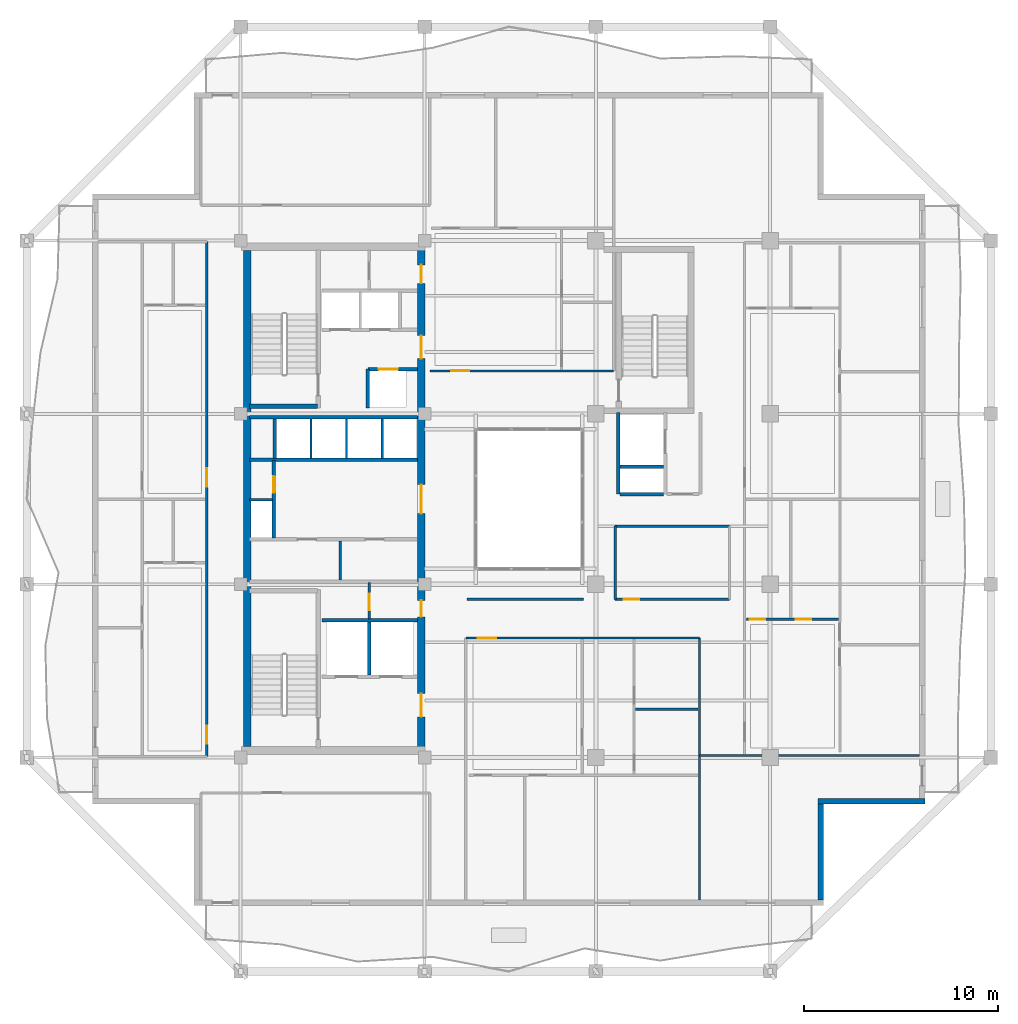
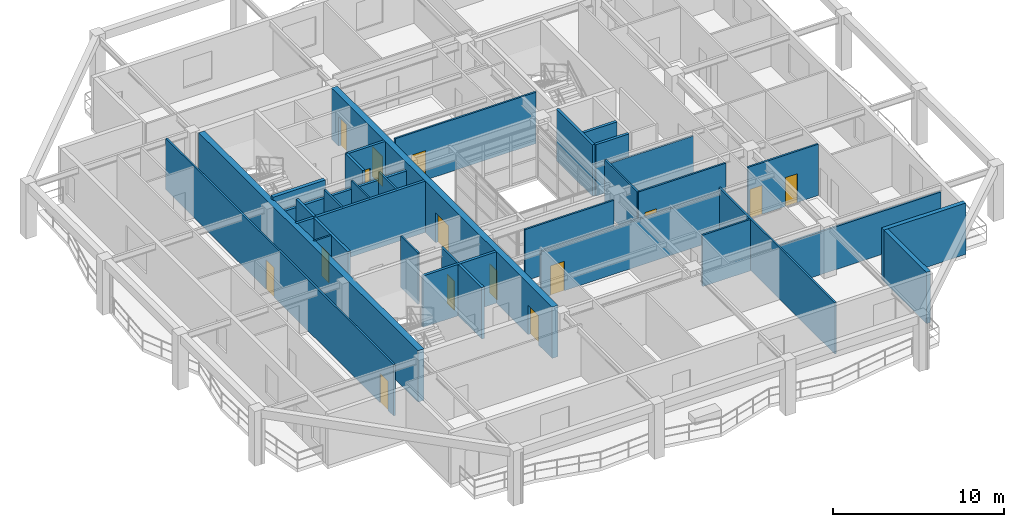
# One storey, part 7 of 15: 33 walls, 15 doors, 15 openings.
"""IFC4 building model written with IfcOpenShell, lengths in metres."""

from ifc_helpers import new_model, si_unit, direction, frame, frame_2d, origin, place, context, subcontext, project, spatial, rectangle, extrude, material, layer, layer_set, type_object, element, fill, save


model = new_model("IFC4")

# Units and contexts
model_context = context("Model", 3, precision=1e-05, world=origin(), true_north=direction((0.0, 1.0)))
body_context = subcontext(model_context, "Body", "Model", "MODEL_VIEW")
ifc_project = project(units=[si_unit("LENGTHUNIT", "METRE"), si_unit("AREAUNIT", "SQUARE_METRE"), si_unit("VOLUMEUNIT", "CUBIC_METRE"), si_unit("PLANEANGLEUNIT", "RADIAN"), si_unit("MASSUNIT", "GRAM", prefix="KILO")], contexts=[model_context])

# Site, building, storey
site_placement = place(None, origin())
site = spatial("IfcSite", under=ifc_project, at=site_placement, CompositionType="ELEMENT")
building_placement = place(site_placement, origin())
building = spatial("IfcBuilding", under=site, at=building_placement, Name="Kundavana Baori Tower", CompositionType="ELEMENT")
storey_placement = place(building_placement, frame((0.0, 0.0, 214.10009765625)))
storey = spatial("IfcBuildingStorey", under=building, at=storey_placement, Name="L52", CompositionType="ELEMENT", Elevation=214.10009765625)

# Wall
ifc_material_1 = material(Name="Concrete C50/60", Category="concrete")
ifc_layer_1 = layer(ifc_material_1, 0.39990234375, Name="WL-CORE-400")
ifc_layer_set_1 = layer_set([ifc_layer_1], Name="Concrete C50/60")
wall_type_1 = type_object("IfcWallType", Name="WL-CORE-400", PredefinedType="SHEAR", material=ifc_layer_set_1)
wall_1_placement = place(storey_placement, frame((15.7900390625, 15.81005859375, 0.0), z_axis=(0.0, 0.0, 1.0), x_axis=(0.0, 1.0, 0.0)))
element("IfcWall", 1, at=wall_1_placement, inside=storey, type_object=wall_type_1, Name="L52 Offset Core West Shear Wall", PredefinedType="SHEAR", context=body_context, shape_type="SweptSolid", body=[
    extrude(rectangle(XDim=25.6298828125, YDim=0.39990234375, at=frame_2d((12.81494140625, 0.0))), origin(), (0.0, 0.0, 1.0), 3.659912109375),
])

# Wall, openings, doors
wall_2_placement = place(storey_placement, frame((24.780029296875, 15.739990234375, 0.0), z_axis=(0.0, 0.0, 1.0), x_axis=(0.0, 1.0, 0.0)))
wall_2 = element("IfcWall", 2, at=wall_2_placement, inside=storey, type_object=wall_type_1, Name="L52 Offset Core East Shear Wall", PredefinedType="SHEAR", context=body_context, shape_type="SweptSolid", body=[
    extrude(rectangle(XDim=25.760009765625, YDim=0.39990234375, at=frame_2d((12.8798828125, 0.0))), origin(), (0.0, 0.0, 1.0), 3.659912109375),
])
opening_1_placement = place(wall_2_placement, frame((1.610107421875, 0.0, 0.0)))
opening_1 = element("IfcOpeningElement", 3, at=opening_1_placement, cuts=wall_2, Name="Opening FD-120", PredefinedType="OPENING", context=body_context, shape_type="SweptSolid", body=[
    extrude(rectangle(XDim=1.199951171875, YDim=2.10009765625, at=frame_2d((0.60009765625, 1.050048828125))), frame((0.0, 0.2099609375, 0.0), z_axis=(0.0, -1.0, 0.0), x_axis=(1.0, 0.0, 0.0)), (0.0, 0.0, 1.0), 0.419921875),
])
opening_2_placement = place(wall_2_placement, frame((6.780029296875, 0.0, 0.0)))
opening_2 = element("IfcOpeningElement", 4, at=opening_2_placement, cuts=wall_2, Name="Opening FD-085", PredefinedType="OPENING", context=body_context, shape_type="SweptSolid", body=[
    extrude(rectangle(XDim=0.85009765625, YDim=2.06005859375, at=frame_2d((0.425048828125, 1.030029296875))), frame((0.0, 0.2099609375, 0.0), z_axis=(0.0, -1.0, 0.0), x_axis=(1.0, 0.0, 0.0)), (0.0, 0.0, 1.0), 0.419921875),
])
opening_3_placement = place(wall_2_placement, frame((12.110107421875, 0.0, 0.0)))
opening_3 = element("IfcOpeningElement", 5, at=opening_3_placement, cuts=wall_2, Name="Opening FD-150", PredefinedType="OPENING", context=body_context, shape_type="SweptSolid", body=[
    extrude(rectangle(XDim=1.5, YDim=2.1201171875, at=frame_2d((0.75, 1.06005859375))), frame((0.0, 0.2099609375, 0.0), z_axis=(0.0, -1.0, 0.0), x_axis=(1.0, 0.0, 0.0)), (0.0, 0.0, 1.0), 0.419921875),
])
opening_4_placement = place(wall_2_placement, frame((20.110107421875, 0.0, 0.0)))
opening_4 = element("IfcOpeningElement", 6, at=opening_4_placement, cuts=wall_2, Name="Opening FD-122", PredefinedType="OPENING", context=body_context, shape_type="SweptSolid", body=[
    extrude(rectangle(XDim=1.199951171875, YDim=2.1201171875, at=frame_2d((0.60009765625, 1.06005859375))), frame((0.0, 0.2099609375, 0.0), z_axis=(0.0, -1.0, 0.0), x_axis=(1.0, 0.0, 0.0)), (0.0, 0.0, 1.0), 0.419921875),
])
opening_5_placement = place(wall_2_placement, frame((24.010009765625, 0.0, 0.0)))
opening_5 = element("IfcOpeningElement", 7, at=opening_5_placement, cuts=wall_2, Name="Opening FD-095", PredefinedType="OPENING", context=body_context, shape_type="SweptSolid", body=[
    extrude(rectangle(XDim=0.949951171875, YDim=2.10009765625, at=frame_2d((0.47509765625, 1.050048828125))), frame((0.0, 0.2099609375, 0.0), z_axis=(0.0, -1.0, 0.0), x_axis=(1.0, 0.0, 0.0)), (0.0, 0.0, 1.0), 0.419921875),
])
ifc_material_2 = material(Name="Galvanised Steel Fire-Rated Door Leaf", Category="steel")
door_type_1 = type_object("IfcDoorType", Name="DR-FD120-1200", OperationType="NOTDEFINED", PredefinedType="DOOR", material=ifc_material_2)
door_1_placement = place(opening_1_placement, frame((1.199951171875, 0.0, 0.0), z_axis=(0.0, 0.0, 1.0), x_axis=(-1.0, 0.0, 0.0)))
door_1 = element("IfcDoor", 8, at=door_1_placement, inside=storey, type_object=door_type_1, Name="DR-L52-FFLOB-E", OperationType="SINGLE_SWING_RIGHT", OverallHeight=2.10009765625, OverallWidth=1.199951171875, PredefinedType="DOOR", context=body_context, shape_type="SweptSolid", body=[
    extrude(rectangle(XDim=1.199951171875, YDim=2.10009765625, at=frame_2d((0.60009765625, 1.050048828125))), frame((0.0, 0.02490234375, 0.0), z_axis=(0.0, -1.0, 0.0), x_axis=(1.0, 0.0, 0.0)), (0.0, 0.0, 1.0), 0.050048828125),
])
fill(opening_1, door_1)
ifc_material_3 = material(Name="Galvanised Steel Fire-Rated Door Leaf", Category="steel")
door_type_2 = type_object("IfcDoorType", Name="DR-FD60-1200", OperationType="NOTDEFINED", PredefinedType="DOOR", material=ifc_material_3)
door_2_placement = place(opening_4_placement, frame((1.199951171875, 0.0, 0.0), z_axis=(0.0, 0.0, 1.0), x_axis=(-1.0, 0.0, 0.0)))
door_2 = element("IfcDoor", 9, at=door_2_placement, inside=storey, type_object=door_type_2, Name="DR-L52-HRLOB-E", OperationType="SINGLE_SWING_RIGHT", OverallHeight=2.1201171875, OverallWidth=1.199951171875, PredefinedType="DOOR", context=body_context, shape_type="SweptSolid", body=[
    extrude(rectangle(XDim=1.199951171875, YDim=2.1201171875, at=frame_2d((0.60009765625, 1.06005859375))), frame((0.0, 0.02490234375, 0.0), z_axis=(0.0, -1.0, 0.0), x_axis=(1.0, 0.0, 0.0)), (0.0, 0.0, 1.0), 0.050048828125),
])
fill(opening_4, door_2)
ifc_material_4 = material(Name="Galvanised Steel Fire-Rated Door Leaf", Category="steel")
door_type_3 = type_object("IfcDoorType", Name="DR-FD60-1500", OperationType="NOTDEFINED", PredefinedType="DOOR", material=ifc_material_4)
door_3_placement = place(opening_3_placement, frame((1.5, 0.0, 0.0), z_axis=(0.0, 0.0, 1.0), x_axis=(-1.0, 0.0, 0.0)))
door_3 = element("IfcDoor", 10, at=door_3_placement, inside=storey, type_object=door_type_3, Name="DR-L52-LIFTHALL-E", OperationType="SINGLE_SWING_LEFT", OverallHeight=2.1201171875, OverallWidth=1.5, PredefinedType="DOOR", context=body_context, shape_type="SweptSolid", body=[
    extrude(rectangle(XDim=1.5, YDim=2.1201171875, at=frame_2d((0.75, 1.06005859375))), frame((0.0, 0.02490234375, 0.0), z_axis=(0.0, -1.0, 0.0), x_axis=(1.0, 0.0, 0.0)), (0.0, 0.0, 1.0), 0.050048828125),
])
fill(opening_3, door_3)
ifc_material_5 = material(Name="Galvanised Steel Fire-Rated Door Leaf", Category="steel")
door_type_4 = type_object("IfcDoorType", Name="DR-FD60-850", OperationType="NOTDEFINED", PredefinedType="DOOR", material=ifc_material_5)
door_4_placement = place(opening_2_placement, frame((0.85009765625, 0.0, 0.0), z_axis=(0.0, 0.0, 1.0), x_axis=(-1.0, 0.0, 0.0)))
door_4 = element("IfcDoor", 11, at=door_4_placement, inside=storey, type_object=door_type_4, Name="DR-L52-CSMK2", OperationType="SINGLE_SWING_RIGHT", OverallHeight=2.06005859375, OverallWidth=0.85009765625, PredefinedType="DOOR", context=body_context, shape_type="SweptSolid", body=[
    extrude(rectangle(XDim=0.85009765625, YDim=2.06005859375, at=frame_2d((0.425048828125, 1.030029296875))), frame((0.0, 0.02490234375, 0.0), z_axis=(0.0, -1.0, 0.0), x_axis=(1.0, 0.0, 0.0)), (0.0, 0.0, 1.0), 0.050048828125),
])
fill(opening_2, door_4)
ifc_material_6 = material(Name="Engineered Teak Fire-Rated Timber Door Leaf", Category="wood")
door_type_5 = type_object("IfcDoorType", Name="DR-FD60-950", OperationType="NOTDEFINED", PredefinedType="DOOR", material=ifc_material_6)
door_5_placement = place(opening_5_placement, frame((0.949951171875, 0.0, 0.0), z_axis=(0.0, 0.0, 1.0), x_axis=(-1.0, 0.0, 0.0)))
door_5 = element("IfcDoor", 12, at=door_5_placement, inside=storey, type_object=door_type_5, Name="DR-L52-CSRV2", OperationType="SINGLE_SWING_RIGHT", OverallHeight=2.10009765625, OverallWidth=0.949951171875, PredefinedType="DOOR", context=body_context, shape_type="SweptSolid", body=[
    extrude(rectangle(XDim=0.949951171875, YDim=2.10009765625, at=frame_2d((0.47509765625, 1.050048828125))), frame((0.0, 0.02490234375, 0.0), z_axis=(0.0, -1.0, 0.0), x_axis=(1.0, 0.0, 0.0)), (0.0, 0.0, 1.0), 0.050048828125),
])
fill(opening_5, door_5)

# Walls
wall_3_placement = place(storey_placement, frame((15.89990234375, 33.389892578125, 0.0), z_axis=(0.0, 0.0, 1.0), x_axis=(1.0, 0.0, 0.0)))
element("IfcWall", 13, at=wall_3_placement, inside=storey, type_object=wall_type_1, Name="WL-L52-ST2-S", PredefinedType="SHEAR", context=body_context, shape_type="SweptSolid", body=[
    extrude(rectangle(XDim=3.52001953125, YDim=0.239990234375, at=frame_2d((1.760009765625, 0.0))), origin(), (0.0, 0.0, 1.0), 3.89990234375),
])
ifc_material_7 = material(Name="Red-Buff Dholpur Sandstone Cladding on Concrete C40/50", Category="masonry")
ifc_layer_2 = layer(ifc_material_7, 0.280029296875, Name="WL-EXT-SAND-280")
ifc_layer_set_2 = layer_set([ifc_layer_2], Name="Red-Buff Dholpur Sandstone Cladding on Concrete C40/50")
wall_type_2 = type_object("IfcWallType", Name="WL-EXT-SAND-280", PredefinedType="STANDARD", material=ifc_layer_set_2)
wall_4_placement = place(storey_placement, frame((45.409912109375, 7.8798828125, 0.0), z_axis=(0.0, 0.0, 1.0), x_axis=(0.0, 1.0, 0.0)))
element("IfcWall", 14, at=wall_4_placement, inside=storey, type_object=wall_type_2, Name="L52 Exterior Insulated Facade Wall 02", PredefinedType="STANDARD", context=body_context, shape_type="SweptSolid", body=[
    extrude(rectangle(XDim=4.97021484375, YDim=0.280029296875, at=frame_2d((2.485107421875, 0.0))), origin(), (0.0, 0.0, 1.0), 3.659912109375),
])
wall_5_placement = place(storey_placement, frame((45.27001953125, 12.989990234375, 0.0), z_axis=(0.0, 0.0, 1.0), x_axis=(1.0, 0.0, 0.0)))
element("IfcWall", 15, at=wall_5_placement, inside=storey, type_object=wall_type_2, Name="L52 Exterior Insulated Facade Wall 03", PredefinedType="STANDARD", context=body_context, shape_type="SweptSolid", body=[
    extrude(rectangle(XDim=5.530029296875, YDim=0.280029296875, at=frame_2d((2.76513671875, 0.0))), origin(), (0.0, 0.0, 1.0), 3.659912109375),
])

# Wall, opening, door
ifc_material_8 = material(Name="Acoustic Gypsum Plasterboard on Galvanised Steel Studs", Category="steel")
ifc_layer_3 = layer(ifc_material_8, 0.1201171875, Name="WL-PART-120")
ifc_layer_set_3 = layer_set([ifc_layer_3], Name="Acoustic Gypsum Plasterboard on Galvanised Steel Studs")
wall_type_3 = type_object("IfcWallType", Name="WL-PART-120", PredefinedType="PARTITIONING", material=ifc_layer_set_3)
wall_6_placement = place(storey_placement, frame((22.10009765625, 22.39990234375, 0.0), z_axis=(0.0, 0.0, 1.0), x_axis=(0.0, 1.0, 0.0)))
wall_6 = element("IfcWall", 16, at=wall_6_placement, inside=storey, type_object=wall_type_3, Name="WL-L52-CSMK-D1", PredefinedType="PARTITIONING", context=body_context, shape_type="SweptSolid", body=[
    extrude(rectangle(XDim=1.880126953125, YDim=0.1201171875, at=frame_2d((0.93994140625, 0.0))), origin(), (0.0, 0.0, 1.0), 3.659912109375),
])
opening_6_placement = place(wall_6_placement, frame((0.449951171875, 0.0, 0.0)))
opening_6 = element("IfcOpeningElement", 17, at=opening_6_placement, cuts=wall_6, Name="Opening FD-085", PredefinedType="OPENING", context=body_context, shape_type="SweptSolid", body=[
    extrude(rectangle(XDim=0.85009765625, YDim=2.06005859375, at=frame_2d((0.425048828125, 1.030029296875))), frame((0.0, 0.070068359375, 0.0), z_axis=(0.0, -1.0, 0.0), x_axis=(1.0, 0.0, 0.0)), (0.0, 0.0, 1.0), 0.14013671875),
])
door_6_placement = place(opening_6_placement, origin())
door_6 = element("IfcDoor", 18, at=door_6_placement, inside=storey, type_object=door_type_4, Name="DR-L52-CSMK1", OperationType="SINGLE_SWING_LEFT", OverallHeight=2.06005859375, OverallWidth=0.85009765625, PredefinedType="DOOR", context=body_context, shape_type="SweptSolid", body=[
    extrude(rectangle(XDim=0.85009765625, YDim=2.06005859375, at=frame_2d((0.425048828125, 1.030029296875))), frame((0.0, 0.02490234375, 0.0), z_axis=(0.0, -1.0, 0.0), x_axis=(1.0, 0.0, 0.0)), (0.0, 0.0, 1.0), 0.050048828125),
])
fill(opening_6, door_6)

# Walls
wall_7_placement = place(storey_placement, frame((20.60009765625, 24.419921875, 0.0), z_axis=(0.0, 0.0, 1.0), x_axis=(0.0, 1.0, 0.0)))
element("IfcWall", 19, at=wall_7_placement, inside=storey, type_object=wall_type_3, Name="WL-L52-FRLOW-DIV", PredefinedType="PARTITIONING", context=body_context, shape_type="SweptSolid", body=[
    extrude(rectangle(XDim=2.02001953125, YDim=0.1201171875, at=frame_2d((1.010009765625, 0.0))), origin(), (0.0, 0.0, 1.0), 3.659912109375),
])
wall_8_placement = place(storey_placement, frame((15.89990234375, 28.56005859375, 0.0), z_axis=(0.0, 0.0, 1.0), x_axis=(1.0, 0.0, 0.0)))
element("IfcWall", 20, at=wall_8_placement, inside=storey, type_object=wall_type_3, Name="WL-L52-RSRW-N", PredefinedType="PARTITIONING", context=body_context, shape_type="SweptSolid", body=[
    extrude(rectangle(XDim=1.2001953125, YDim=0.1201171875, at=frame_2d((0.60009765625, 0.0))), origin(), (0.0, 0.0, 1.0), 3.659912109375),
])
for number, where, z_axis, x_axis, name in (
    (21, (19.080078125, 30.699951171875, 0.0), (0.0, 0.0, 1.0), (0.0, 1.0, 0.0), "WL-L52-LPMID-D1"),
    (22, (20.919921875, 30.699951171875, 0.0), (0.0, 0.0, 1.0), (0.0, 1.0, 0.0), "WL-L52-LPMID-D2"),
    (23, (22.760009765625, 30.699951171875, 0.0), (0.0, 0.0, 1.0), (0.0, 1.0, 0.0), "WL-L52-LPMID-D3"),
):
    element("IfcWall", number, at=place(storey_placement, frame(where, z_axis=z_axis, x_axis=x_axis)), inside=storey, type_object=wall_type_3, Name=name, PredefinedType="PARTITIONING", context=body_context, shape_type="SweptSolid", body=[
        extrude(rectangle(XDim=2.050048828125, YDim=0.1201171875, at=frame_2d((1.02490234375, 0.0))), origin(), (0.0, 0.0, 1.0), 3.659912109375),
    ])

# Wall, opening, door
wall_9_placement = place(storey_placement, frame((27.080078125, 21.419921875, 0.0), z_axis=(0.0, 0.0, 1.0), x_axis=(1.0, 0.0, 0.0)))
wall_9 = element("IfcWall", 24, at=wall_9_placement, inside=storey, type_object=wall_type_3, Name="WL-L52-RS", PredefinedType="PARTITIONING", context=body_context, shape_type="SweptSolid", body=[
    extrude(rectangle(XDim=12.06982421875, YDim=0.1201171875, at=frame_2d((6.034912109375, 0.0))), origin(), (0.0, 0.0, 1.0), 3.309814453125),
])
opening_7_placement = place(wall_9_placement, frame((0.6298828125, 0.0, 0.0)))
opening_7 = element("IfcOpeningElement", 25, at=opening_7_placement, cuts=wall_9, Name="Opening FD-095", PredefinedType="OPENING", context=body_context, shape_type="SweptSolid", body=[
    extrude(rectangle(XDim=0.949951171875, YDim=2.10009765625, at=frame_2d((0.47509765625, 1.050048828125))), frame((0.0, 0.070068359375, 0.0), z_axis=(0.0, -1.0, 0.0), x_axis=(1.0, 0.0, 0.0)), (0.0, 0.0, 1.0), 0.14013671875),
])
door_7_placement = place(opening_7_placement, frame((0.949951171875, 0.0, 0.0), z_axis=(0.0, 0.0, 1.0), x_axis=(-1.0, 0.0, 0.0)))
door_7 = element("IfcDoor", 26, at=door_7_placement, inside=storey, type_object=door_type_5, Name="DR-L52-S1-ENT", OperationType="SINGLE_SWING_RIGHT", OverallHeight=2.10009765625, OverallWidth=0.949951171875, PredefinedType="DOOR", context=body_context, shape_type="SweptSolid", body=[
    extrude(rectangle(XDim=0.949951171875, YDim=2.10009765625, at=frame_2d((0.47509765625, 1.050048828125))), frame((0.0, 0.02490234375, 0.0), z_axis=(0.0, -1.0, 0.0), x_axis=(1.0, 0.0, 0.0)), (0.0, 0.0, 1.0), 0.050048828125),
])
fill(opening_7, door_7)

# Wall
wall_10_placement = place(storey_placement, frame((27.14990234375, 23.419921875, 0.0), z_axis=(0.0, 0.0, 1.0), x_axis=(1.0, 0.0, 0.0)))
element("IfcWall", 27, at=wall_10_placement, inside=storey, type_object=wall_type_3, Name="WL-L52-RST", PredefinedType="PARTITIONING", context=body_context, shape_type="SweptSolid", body=[
    extrude(rectangle(XDim=6.0, YDim=0.1201171875, at=frame_2d((3.0, 0.0))), origin(), (0.0, 0.0, 1.0), 3.659912109375),
])

# Wall, opening, door
wall_11_placement = place(storey_placement, frame((25.219970703125, 35.219970703125, 0.0), z_axis=(0.0, 0.0, 1.0), x_axis=(1.0, 0.0, 0.0)))
wall_11 = element("IfcWall", 28, at=wall_11_placement, inside=storey, type_object=wall_type_3, Name="WL-L52-RN", PredefinedType="PARTITIONING", context=body_context, shape_type="SweptSolid", body=[
    extrude(rectangle(XDim=9.5, YDim=0.1201171875, at=frame_2d((4.75, 0.0))), origin(), (0.0, 0.0, 1.0), 3.659912109375),
])
opening_8_placement = place(wall_11_placement, frame((1.10009765625, 0.0, 0.0)))
opening_8 = element("IfcOpeningElement", 29, at=opening_8_placement, cuts=wall_11, Name="Opening FD-095", PredefinedType="OPENING", context=body_context, shape_type="SweptSolid", body=[
    extrude(rectangle(XDim=0.949951171875, YDim=2.10009765625, at=frame_2d((0.47509765625, 1.050048828125))), frame((0.0, 0.070068359375, 0.0), z_axis=(0.0, -1.0, 0.0), x_axis=(1.0, 0.0, 0.0)), (0.0, 0.0, 1.0), 0.14013671875),
])
door_8_placement = place(opening_8_placement, origin())
door_8 = element("IfcDoor", 30, at=door_8_placement, inside=storey, type_object=door_type_5, Name="DR-L52-N1-ENT", OperationType="SINGLE_SWING_LEFT", OverallHeight=2.10009765625, OverallWidth=0.949951171875, PredefinedType="DOOR", context=body_context, shape_type="SweptSolid", body=[
    extrude(rectangle(XDim=0.949951171875, YDim=2.10009765625, at=frame_2d((0.47509765625, 1.050048828125))), frame((0.0, 0.02490234375, 0.0), z_axis=(0.0, -1.0, 0.0), x_axis=(1.0, 0.0, 0.0)), (0.0, 0.0, 1.0), 0.050048828125),
])
fill(opening_8, door_8)

# Wall, openings, doors
wall_12_placement = place(storey_placement, frame((13.699951171875, 15.300048828125, 0.0), z_axis=(0.0, 0.0, 1.0), x_axis=(0.0, 1.0, 0.0)))
wall_12 = element("IfcWall", 31, at=wall_12_placement, inside=storey, type_object=wall_type_3, Name="WL-L52-RW", PredefinedType="PARTITIONING", context=body_context, shape_type="SweptSolid", body=[
    extrude(rectangle(XDim=26.599853515625, YDim=0.1201171875, at=frame_2d((13.2998046875, 0.0))), origin(), (0.0, 0.0, 1.0), 3.659912109375),
])
opening_9_placement = place(wall_12_placement, frame((0.64990234375, 0.0, 0.0)))
opening_9 = element("IfcOpeningElement", 32, at=opening_9_placement, cuts=wall_12, Name="Opening FD-095", PredefinedType="OPENING", context=body_context, shape_type="SweptSolid", body=[
    extrude(rectangle(XDim=0.949951171875, YDim=2.10009765625, at=frame_2d((0.47509765625, 1.050048828125))), frame((0.0, 0.070068359375, 0.0), z_axis=(0.0, -1.0, 0.0), x_axis=(1.0, 0.0, 0.0)), (0.0, 0.0, 1.0), 0.14013671875),
])
opening_10_placement = place(wall_12_placement, frame((13.949951171875, 0.0, 0.0)))
opening_10 = element("IfcOpeningElement", 33, at=opening_10_placement, cuts=wall_12, Name="Opening FD-095", PredefinedType="OPENING", context=body_context, shape_type="SweptSolid", body=[
    extrude(rectangle(XDim=0.949951171875, YDim=2.10009765625, at=frame_2d((0.47509765625, 1.050048828125))), frame((0.0, 0.070068359375, 0.0), z_axis=(0.0, -1.0, 0.0), x_axis=(1.0, 0.0, 0.0)), (0.0, 0.0, 1.0), 0.14013671875),
])
door_9_placement = place(opening_9_placement, frame((0.949951171875, 0.0, 0.0), z_axis=(0.0, 0.0, 1.0), x_axis=(-1.0, 0.0, 0.0)))
door_9 = element("IfcDoor", 34, at=door_9_placement, inside=storey, type_object=door_type_5, Name="DR-L52-W1-ENT", OperationType="SINGLE_SWING_LEFT", OverallHeight=2.10009765625, OverallWidth=0.949951171875, PredefinedType="DOOR", context=body_context, shape_type="SweptSolid", body=[
    extrude(rectangle(XDim=0.949951171875, YDim=2.10009765625, at=frame_2d((0.47509765625, 1.050048828125))), frame((0.0, 0.02490234375, 0.0), z_axis=(0.0, -1.0, 0.0), x_axis=(1.0, 0.0, 0.0)), (0.0, 0.0, 1.0), 0.050048828125),
])
fill(opening_9, door_9)
door_10_placement = place(opening_10_placement, frame((0.949951171875, 0.0, 0.0), z_axis=(0.0, 0.0, 1.0), x_axis=(-1.0, 0.0, 0.0)))
door_10 = element("IfcDoor", 35, at=door_10_placement, inside=storey, type_object=door_type_5, Name="DR-L52-W2-ENT", OperationType="SINGLE_SWING_LEFT", OverallHeight=2.10009765625, OverallWidth=0.949951171875, PredefinedType="DOOR", context=body_context, shape_type="SweptSolid", body=[
    extrude(rectangle(XDim=0.949951171875, YDim=2.10009765625, at=frame_2d((0.47509765625, 1.050048828125))), frame((0.0, 0.02490234375, 0.0), z_axis=(0.0, -1.0, 0.0), x_axis=(1.0, 0.0, 0.0)), (0.0, 0.0, 1.0), 0.050048828125),
])
fill(opening_10, door_10)

# Walls
wall_13_placement = place(storey_placement, frame((39.14990234375, 7.8798828125, 0.0), z_axis=(0.0, 0.0, 1.0), x_axis=(0.0, 1.0, 0.0)))
element("IfcWall", 36, at=wall_13_placement, inside=storey, type_object=wall_type_3, Name="WL-L52-RSEND", PredefinedType="PARTITIONING", context=body_context, shape_type="SweptSolid", body=[
    extrude(rectangle(XDim=13.5400390625, YDim=0.1201171875, at=frame_2d((6.77001953125, 0.0))), origin(), (0.0, 0.0, 1.0), 3.659912109375),
])
wall_14_placement = place(storey_placement, frame((39.14990234375, 15.35009765625, 0.0), z_axis=(0.0, 0.0, 1.0), x_axis=(1.0, 0.0, 0.0)))
element("IfcWall", 37, at=wall_14_placement, inside=storey, type_object=wall_type_3, Name="WL-L52-RES", PredefinedType="PARTITIONING", context=body_context, shape_type="SweptSolid", body=[
    extrude(rectangle(XDim=11.3701171875, YDim=0.1201171875, at=frame_2d((5.68505859375, 0.0))), origin(), (0.0, 0.0, 1.0), 3.059814453125),
])

# Wall, opening, door
wall_15_placement = place(storey_placement, frame((34.800048828125, 23.419921875, 0.0), z_axis=(0.0, 0.0, 1.0), x_axis=(1.0, 0.0, 0.0)))
wall_15 = element("IfcWall", 38, at=wall_15_placement, inside=storey, type_object=wall_type_3, Name="WL-L52-ALS", PredefinedType="PARTITIONING", context=body_context, shape_type="SweptSolid", body=[
    extrude(rectangle(XDim=5.89990234375, YDim=0.1201171875, at=frame_2d((2.949951171875, 0.0))), origin(), (0.0, 0.0, 1.0), 3.659912109375),
])
opening_11_placement = place(wall_15_placement, frame((0.429931640625, 0.0, 0.0)))
opening_11 = element("IfcOpeningElement", 39, at=opening_11_placement, cuts=wall_15, Name="Opening WD-080", PredefinedType="OPENING", context=body_context, shape_type="SweptSolid", body=[
    extrude(rectangle(XDim=0.800048828125, YDim=2.050048828125, at=frame_2d((0.39990234375, 1.02490234375))), frame((0.0, 0.070068359375, 0.0), z_axis=(0.0, -1.0, 0.0), x_axis=(1.0, 0.0, 0.0)), (0.0, 0.0, 1.0), 0.14013671875),
])
ifc_material_9 = material(Name="Engineered Teak Solid-Core Timber Veneer", Category="wood")
door_type_6 = type_object("IfcDoorType", Name="DR-WET-800", OperationType="NOTDEFINED", PredefinedType="DOOR", material=ifc_material_9)
door_11_placement = place(opening_11_placement, origin())
door_11 = element("IfcDoor", 40, at=door_11_placement, inside=storey, type_object=door_type_6, Name="DR-L52-RALC1", OperationType="SINGLE_SWING_LEFT", OverallHeight=2.050048828125, OverallWidth=0.800048828125, PredefinedType="DOOR", context=body_context, shape_type="SweptSolid", body=[
    extrude(rectangle(XDim=0.800048828125, YDim=2.050048828125, at=frame_2d((0.39990234375, 1.02490234375))), frame((0.0, 0.02490234375, 0.0), z_axis=(0.0, -1.0, 0.0), x_axis=(1.0, 0.0, 0.0)), (0.0, 0.0, 1.0), 0.050048828125),
])
fill(opening_11, door_11)

# Walls
wall_16_placement = place(storey_placement, frame((34.800048828125, 27.199951171875, 0.0), z_axis=(0.0, 0.0, 1.0), x_axis=(1.0, 0.0, 0.0)))
element("IfcWall", 41, at=wall_16_placement, inside=storey, type_object=wall_type_3, Name="WL-L52-ALN", PredefinedType="PARTITIONING", context=body_context, shape_type="SweptSolid", body=[
    extrude(rectangle(XDim=5.89990234375, YDim=0.1201171875, at=frame_2d((2.949951171875, 0.0))), origin(), (0.0, 0.0, 1.0), 3.309814453125),
])
wall_17_placement = place(storey_placement, frame((34.800048828125, 23.419921875, 0.0), z_axis=(0.0, 0.0, 1.0), x_axis=(0.0, 1.0, 0.0)))
element("IfcWall", 42, at=wall_17_placement, inside=storey, type_object=wall_type_3, Name="WL-L52-ALW", PredefinedType="PARTITIONING", context=body_context, shape_type="SweptSolid", body=[
    extrude(rectangle(XDim=3.780029296875, YDim=0.1201171875, at=frame_2d((1.89013671875, 0.0))), origin(), (0.0, 0.0, 1.0), 3.659912109375),
])
ifc_material_10 = material(Name="Autoclaved Aerated Concrete Blockwork Masonry", Category="masonry")
ifc_layer_4 = layer(ifc_material_10, 0.179931640625, Name="WL-SHAFT-180")
ifc_layer_set_4 = layer_set([ifc_layer_4], Name="Autoclaved Aerated Concrete Blockwork Masonry")
wall_type_4 = type_object("IfcWallType", Name="WL-SHAFT-180", PredefinedType="SOLIDWALL", material=ifc_layer_set_4)
wall_18_placement = place(storey_placement, frame((22.10009765625, 19.510009765625, 0.0), z_axis=(0.0, 0.0, 1.0), x_axis=(0.0, 1.0, 0.0)))
element("IfcWall", 43, at=wall_18_placement, inside=storey, type_object=wall_type_4, Name="WL-L52-FFL-MID", PredefinedType="SOLIDWALL", context=body_context, shape_type="SweptSolid", body=[
    extrude(rectangle(XDim=2.739990234375, YDim=0.179931640625, at=frame_2d((1.3701171875, 0.0))), origin(), (0.0, 0.0, 1.0), 3.659912109375),
])
wall_19_placement = place(storey_placement, frame((19.639892578125, 22.340087890625, 0.0), z_axis=(0.0, 0.0, 1.0), x_axis=(1.0, 0.0, 0.0)))
element("IfcWall", 44, at=wall_19_placement, inside=storey, type_object=wall_type_4, Name="WL-L52-FFL-N", PredefinedType="SOLIDWALL", context=body_context, shape_type="SweptSolid", body=[
    extrude(rectangle(XDim=4.940185546875, YDim=0.179931640625, at=frame_2d((2.47021484375, 0.0))), origin(), (0.0, 0.0, 1.0), 3.659912109375),
])

# Wall, opening, door
wall_20_placement = place(storey_placement, frame((17.159912109375, 26.580078125, 0.0), z_axis=(0.0, 0.0, 1.0), x_axis=(0.0, 1.0, 0.0)))
wall_20 = element("IfcWall", 45, at=wall_20_placement, inside=storey, type_object=wall_type_4, Name="WL-L52-RSRW-E", PredefinedType="SOLIDWALL", context=body_context, shape_type="SweptSolid", body=[
    extrude(rectangle(XDim=4.02001953125, YDim=0.179931640625, at=frame_2d((2.010009765625, 0.0))), origin(), (0.0, 0.0, 1.0), 3.659912109375),
])
opening_12_placement = place(wall_20_placement, frame((2.35009765625, 0.0, 0.0)))
opening_12 = element("IfcOpeningElement", 46, at=opening_12_placement, cuts=wall_20, Name="Opening FD-085", PredefinedType="OPENING", context=body_context, shape_type="SweptSolid", body=[
    extrude(rectangle(XDim=0.85009765625, YDim=2.06005859375, at=frame_2d((0.425048828125, 1.030029296875))), frame((0.0, 0.10009765625, 0.0), z_axis=(0.0, -1.0, 0.0), x_axis=(1.0, 0.0, 0.0)), (0.0, 0.0, 1.0), 0.199951171875),
])
door_12_placement = place(opening_12_placement, origin())
door_12 = element("IfcDoor", 47, at=door_12_placement, inside=storey, type_object=door_type_4, Name="DR-L52-CLN", OperationType="SINGLE_SWING_RIGHT", OverallHeight=2.06005859375, OverallWidth=0.85009765625, PredefinedType="DOOR", context=body_context, shape_type="SweptSolid", body=[
    extrude(rectangle(XDim=0.85009765625, YDim=2.06005859375, at=frame_2d((0.425048828125, 1.030029296875))), frame((0.0, 0.02490234375, 0.0), z_axis=(0.0, -1.0, 0.0), x_axis=(1.0, 0.0, 0.0)), (0.0, 0.0, 1.0), 0.050048828125),
])
fill(opening_12, door_12)

# Walls
wall_21_placement = place(storey_placement, frame((15.89990234375, 30.639892578125, 0.0), z_axis=(0.0, 0.0, 1.0), x_axis=(1.0, 0.0, 0.0)))
element("IfcWall", 48, at=wall_21_placement, inside=storey, type_object=wall_type_4, Name="WL-L52-LPMID-S", PredefinedType="SOLIDWALL", context=body_context, shape_type="SweptSolid", body=[
    extrude(rectangle(XDim=8.68017578125, YDim=0.179931640625, at=frame_2d((4.340087890625, 0.0))), origin(), (0.0, 0.0, 1.0), 3.659912109375),
])
wall_22_placement = place(storey_placement, frame((15.89990234375, 32.820068359375, 0.0), z_axis=(0.0, 0.0, 1.0), x_axis=(1.0, 0.0, 0.0)))
element("IfcWall", 49, at=wall_22_placement, inside=storey, type_object=wall_type_4, Name="WL-L52-LPMID-N", PredefinedType="SOLIDWALL", context=body_context, shape_type="SweptSolid", body=[
    extrude(rectangle(XDim=8.68017578125, YDim=0.179931640625, at=frame_2d((4.340087890625, 0.0))), origin(), (0.0, 0.0, 1.0), 3.059814453125),
])
wall_23_placement = place(storey_placement, frame((17.219970703125, 30.699951171875, 0.0), z_axis=(0.0, 0.0, 1.0), x_axis=(0.0, 1.0, 0.0)))
element("IfcWall", 50, at=wall_23_placement, inside=storey, type_object=wall_type_4, Name="WL-L52-LPMID-W", PredefinedType="SOLIDWALL", context=body_context, shape_type="SweptSolid", body=[
    extrude(rectangle(XDim=2.050048828125, YDim=0.179931640625, at=frame_2d((1.02490234375, 0.0))), origin(), (0.0, 0.0, 1.0), 3.659912109375),
])

# Wall, opening, door
wall_24_placement = place(storey_placement, frame((22.02001953125, 35.31005859375, 0.0), z_axis=(0.0, 0.0, 1.0), x_axis=(1.0, 0.0, 0.0)))
wall_24 = element("IfcWall", 51, at=wall_24_placement, inside=storey, type_object=wall_type_4, Name="WL-L52-LP11-N", PredefinedType="SOLIDWALL", context=body_context, shape_type="SweptSolid", body=[
    extrude(rectangle(XDim=2.56005859375, YDim=0.179931640625, at=frame_2d((1.280029296875, 0.0))), origin(), (0.0, 0.0, 1.0), 3.659912109375),
])
opening_13_placement = place(wall_24_placement, frame((0.550048828125, 0.0, 0.0)))
opening_13 = element("IfcOpeningElement", 52, at=opening_13_placement, cuts=wall_24, Name="Opening LD-100", PredefinedType="OPENING", context=body_context, shape_type="SweptSolid", body=[
    extrude(rectangle(XDim=1.0, YDim=2.10009765625, at=frame_2d((0.5, 1.050048828125))), frame((0.0, 0.10009765625, 0.0), z_axis=(0.0, -1.0, 0.0), x_axis=(1.0, 0.0, 0.0)), (0.0, 0.0, 1.0), 0.199951171875),
])
ifc_material_11 = material(Name="Galvanised Steel Fire-Rated Door Leaf", Category="steel")
door_type_7 = type_object("IfcDoorType", Name="DR-SLIDE-LD1000", OperationType="NOTDEFINED", PredefinedType="DOOR", material=ifc_material_11)
door_13_placement = place(opening_13_placement, origin())
door_13 = element("IfcDoor", 53, at=door_13_placement, inside=storey, type_object=door_type_7, Name="DR-L52-LD-LP11", OperationType="DOUBLE_DOOR_SLIDING", OverallHeight=2.10009765625, OverallWidth=1.0, PredefinedType="DOOR", context=body_context, shape_type="SweptSolid", body=[
    extrude(rectangle(XDim=1.0, YDim=2.10009765625, at=frame_2d((0.5, 1.050048828125))), frame((0.0, 0.02490234375, 0.0), z_axis=(0.0, -1.0, 0.0), x_axis=(1.0, 0.0, 0.0)), (0.0, 0.0, 1.0), 0.050048828125),
])
fill(opening_13, door_13)

# Walls
wall_25_placement = place(storey_placement, frame((22.02001953125, 33.300048828125, 0.0), z_axis=(0.0, 0.0, 1.0), x_axis=(0.0, 1.0, 0.0)))
element("IfcWall", 54, at=wall_25_placement, inside=storey, type_object=wall_type_4, Name="WL-L52-LP11-W", PredefinedType="SOLIDWALL", context=body_context, shape_type="SweptSolid", body=[
    extrude(rectangle(XDim=2.010009765625, YDim=0.179931640625, at=frame_2d((1.0048828125, 0.0))), origin(), (0.0, 0.0, 1.0), 3.659912109375),
])
wall_26_placement = place(storey_placement, frame((34.9599609375, 28.860107421875, 0.0), z_axis=(0.0, 0.0, 1.0), x_axis=(0.0, 1.0, 0.0)))
element("IfcWall", 55, at=wall_26_placement, inside=storey, type_object=wall_type_4, Name="WL-L52-SVL-W", PredefinedType="SOLIDWALL", context=body_context, shape_type="SweptSolid", body=[
    extrude(rectangle(XDim=4.219970703125, YDim=0.179931640625, at=frame_2d((2.10986328125, 0.0))), origin(), (0.0, 0.0, 1.0), 3.659912109375),
])
for number, where, z_axis, x_axis, name in (
    (56, (35.050048828125, 28.860107421875, 0.0), (0.0, 0.0, 1.0), (1.0, 0.0, 0.0), "WL-L52-SVL-S"),
    (57, (35.050048828125, 30.27001953125, 0.0), (0.0, 0.0, 1.0), (1.0, 0.0, 0.0), "WL-L52-SVL-M"),
):
    element("IfcWall", number, at=place(storey_placement, frame(where, z_axis=z_axis, x_axis=x_axis)), inside=storey, type_object=wall_type_4, Name=name, PredefinedType="SOLIDWALL", context=body_context, shape_type="SweptSolid", body=[
        extrude(rectangle(XDim=2.25, YDim=0.179931640625, at=frame_2d((1.125, 0.0))), origin(), (0.0, 0.0, 1.0), 3.659912109375),
    ])
ifc_material_12 = material(Name="Autoclaved Aerated Concrete Blockwork Masonry", Category="masonry")
ifc_layer_5 = layer(ifc_material_12, 0.125, Name="WL-WET-120")
ifc_layer_set_5 = layer_set([ifc_layer_5], Name="Autoclaved Aerated Concrete Blockwork Masonry")
wall_type_5 = type_object("IfcWallType", Name="WL-WET-120", PredefinedType="PLUMBINGWALL", material=ifc_layer_set_5)
wall_27_placement = place(storey_placement, frame((35.85009765625, 17.741943359375, 0.0), z_axis=(0.0, 0.0, 1.0), x_axis=(1.0, 0.0, 0.0)))
element("IfcWall", 58, at=wall_27_placement, inside=storey, type_object=wall_type_5, Name="WL-L52-S1-BT", PredefinedType="PLUMBINGWALL", context=body_context, shape_type="SweptSolid", body=[
    extrude(rectangle(XDim=3.219970703125, YDim=0.125, at=frame_2d((1.60986328125, 0.0))), origin(), (0.0, 0.0, 1.0), 3.659912109375),
])

# Wall, openings, doors
wall_28_placement = place(storey_placement, frame((41.580078125, 22.39990234375, 0.0), z_axis=(0.0, 0.0, 1.0), x_axis=(1.0, 0.0, 0.0)))
wall_28 = element("IfcWall", 59, at=wall_28_placement, inside=storey, type_object=wall_type_5, Name="WL-L52-E1-KH", PredefinedType="PLUMBINGWALL", context=body_context, shape_type="SweptSolid", body=[
    extrude(rectangle(XDim=4.747802734375, YDim=0.125, at=frame_2d((2.3740234375, 0.0))), origin(), (0.0, 0.0, 1.0), 3.659912109375),
])
opening_14_placement = place(wall_28_placement, frame((0.159912109375, 0.0, 0.0)))
opening_14 = element("IfcOpeningElement", 60, at=opening_14_placement, cuts=wall_28, Name="Opening WD-080", PredefinedType="OPENING", context=body_context, shape_type="SweptSolid", body=[
    extrude(rectangle(XDim=0.800048828125, YDim=2.050048828125, at=frame_2d((0.39990234375, 1.02490234375))), frame((0.0, 0.072509765625, 0.0), z_axis=(0.0, -1.0, 0.0), x_axis=(1.0, 0.0, 0.0)), (0.0, 0.0, 1.0), 0.14501953125),
])
opening_15_placement = place(wall_28_placement, frame((2.5390625, 0.0, 0.0)))
opening_15 = element("IfcOpeningElement", 61, at=opening_15_placement, cuts=wall_28, Name="Opening WD-080", PredefinedType="OPENING", context=body_context, shape_type="SweptSolid", body=[
    extrude(rectangle(XDim=0.800048828125, YDim=2.050048828125, at=frame_2d((0.39990234375, 1.02490234375))), frame((0.0, 0.072509765625, 0.0), z_axis=(0.0, -1.0, 0.0), x_axis=(1.0, 0.0, 0.0)), (0.0, 0.0, 1.0), 0.14501953125),
])
door_14_placement = place(opening_14_placement, origin())
door_14 = element("IfcDoor", 62, at=door_14_placement, inside=storey, type_object=door_type_6, Name="DR-L52-E1-BT", OperationType="SINGLE_SWING_LEFT", OverallHeight=2.050048828125, OverallWidth=0.800048828125, PredefinedType="DOOR", context=body_context, shape_type="SweptSolid", body=[
    extrude(rectangle(XDim=0.800048828125, YDim=2.050048828125, at=frame_2d((0.39990234375, 1.02490234375))), frame((0.0, 0.02490234375, 0.0), z_axis=(0.0, -1.0, 0.0), x_axis=(1.0, 0.0, 0.0)), (0.0, 0.0, 1.0), 0.050048828125),
])
fill(opening_14, door_14)
door_15_placement = place(opening_15_placement, origin())
door_15 = element("IfcDoor", 63, at=door_15_placement, inside=storey, type_object=door_type_6, Name="DR-L52-E1-KT", OperationType="SINGLE_SWING_RIGHT", OverallHeight=2.050048828125, OverallWidth=0.800048828125, PredefinedType="DOOR", context=body_context, shape_type="SweptSolid", body=[
    extrude(rectangle(XDim=0.800048828125, YDim=2.050048828125, at=frame_2d((0.39990234375, 1.02490234375))), frame((0.0, 0.02490234375, 0.0), z_axis=(0.0, -1.0, 0.0), x_axis=(1.0, 0.0, 0.0)), (0.0, 0.0, 1.0), 0.050048828125),
])
fill(opening_15, door_15)

save(model, "model.ifc")
